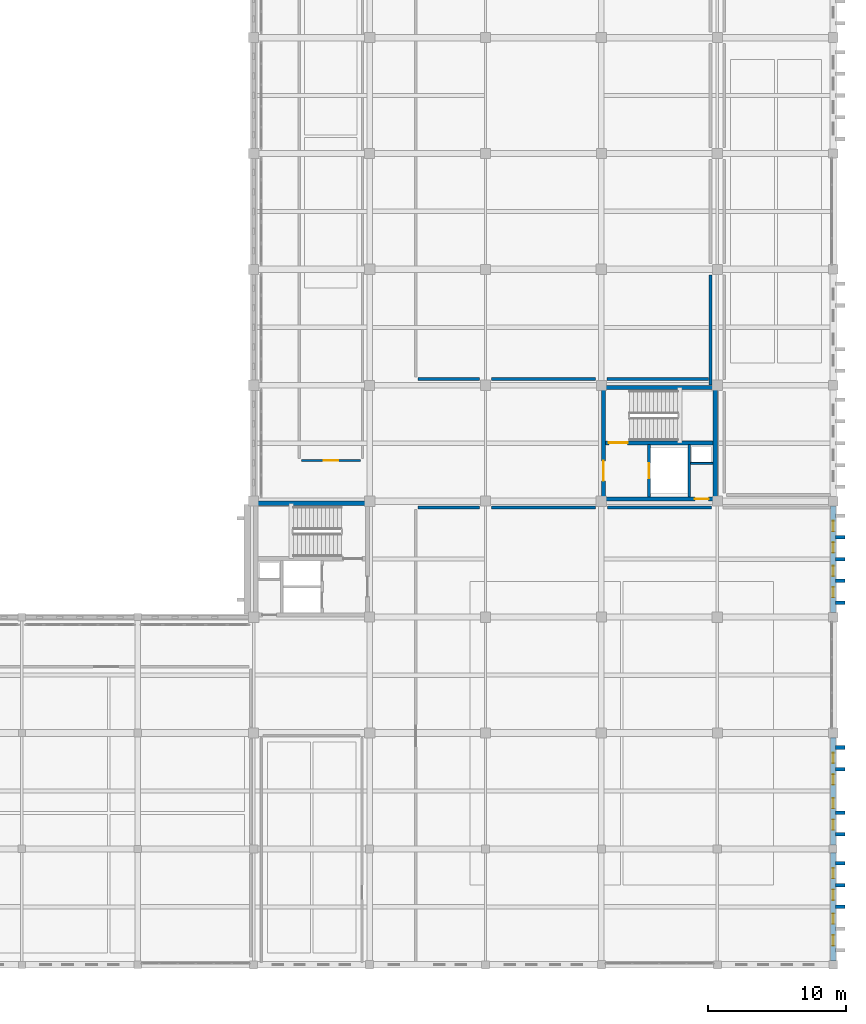
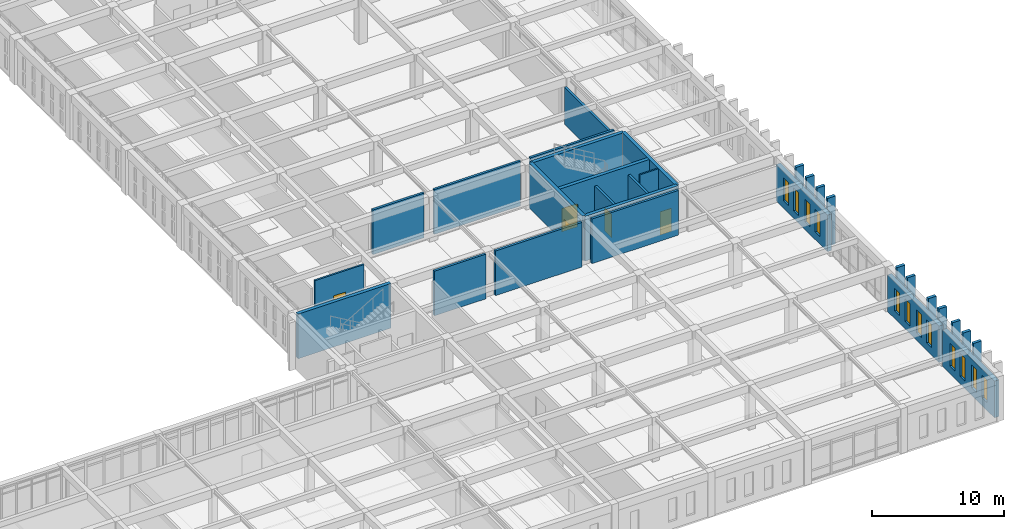
# One storey, part 176 of 192: 31 walls, 12 windows, 5 doors, 17 openings.
"""IFC4 building model written with IfcOpenShell, lengths in metres."""

from ifc_helpers import new_model, si_unit, direction, frame, frame_2d, origin, place, context, subcontext, project, spatial, rectangle, extrude, material, layer, layer_set, type_object, element, fill, save


model = new_model("IFC4")

# Units and contexts
model_context = context("Model", 3, precision=1e-05, world=origin(), true_north=direction((0.0, 1.0)))
body_context = subcontext(model_context, "Body", "Model", "MODEL_VIEW")
ifc_project = project(units=[si_unit("LENGTHUNIT", "METRE"), si_unit("AREAUNIT", "SQUARE_METRE"), si_unit("VOLUMEUNIT", "CUBIC_METRE"), si_unit("PLANEANGLEUNIT", "RADIAN"), si_unit("MASSUNIT", "GRAM", prefix="KILO")], contexts=[model_context])

# Site, building, storey
site_placement = place(None, origin())
site = spatial("IfcSite", under=ifc_project, at=site_placement, CompositionType="ELEMENT")
building_placement = place(site_placement, origin())
building = spatial("IfcBuilding", under=site, at=building_placement, Name="Kveldsbrygga Polytechnic", CompositionType="ELEMENT")
storey_placement = place(building_placement, frame((0.0, 0.0, 5.43994140625)))
storey = spatial("IfcBuildingStorey", under=building, at=storey_placement, Name="L01", CompositionType="ELEMENT", Elevation=5.43994140625)

# Wall, openings, windows
ifc_material_1 = material(Name="Fired clay brick masonry M10", Category="masonry")
ifc_layer_1 = layer(ifc_material_1, 0.3798828125)
ifc_layer_set_1 = layer_set([ifc_layer_1], Name="Fired clay brick masonry M10")
wall_type_1 = type_object("IfcWallType", Name="EW-BRICK-380", PredefinedType="SOLIDWALL", material=ifc_layer_set_1)
wall_1_placement = place(storey_placement, frame((168.0, 8.675048828125, 0.0), z_axis=(0.0, 0.0, 1.0), x_axis=(0.0, 1.0, 0.0)))
wall_1 = element("IfcWall", 1, at=wall_1_placement, inside=storey, type_object=wall_type_1, Name="Exterior Brick Wall EW-L01-Y-20-01", PredefinedType="SOLIDWALL", context=body_context, shape_type="SweptSolid", body=[
    extrude(rectangle(XDim=7.7900390625, YDim=0.3798828125, at=frame_2d((3.89501953125, 0.0))), origin(), (0.0, 0.0, 1.0), 3.3701171875),
])
opening_1_placement = place(wall_1_placement, frame((1.10498046875, 0.0, 0.699951171875)))
opening_1 = element("IfcOpeningElement", 2, at=opening_1_placement, cuts=wall_1, Name="Opening W-27", PredefinedType="OPENING", context=body_context, shape_type="SweptSolid", body=[
    extrude(rectangle(XDim=0.75, YDim=2.10009765625, at=frame_2d((0.375, 1.050048828125))), frame((0.0, 0.199951171875, 0.0), z_axis=(0.0, -1.0, 0.0), x_axis=(1.0, 0.0, 0.0)), (0.0, 0.0, 1.0), 0.39990234375),
])
opening_2_placement = place(wall_1_placement, frame((2.6630859375, 0.0, 0.699951171875)))
opening_2 = element("IfcOpeningElement", 3, at=opening_2_placement, cuts=wall_1, Name="Opening W-27", PredefinedType="OPENING", context=body_context, shape_type="SweptSolid", body=[
    extrude(rectangle(XDim=0.75, YDim=2.10009765625, at=frame_2d((0.375, 1.050048828125))), frame((0.0, 0.199951171875, 0.0), z_axis=(0.0, -1.0, 0.0), x_axis=(1.0, 0.0, 0.0)), (0.0, 0.0, 1.0), 0.39990234375),
])
opening_3_placement = place(wall_1_placement, frame((4.376953125, 0.0, 0.699951171875)))
opening_3 = element("IfcOpeningElement", 4, at=opening_3_placement, cuts=wall_1, Name="Opening W-27", PredefinedType="OPENING", context=body_context, shape_type="SweptSolid", body=[
    extrude(rectangle(XDim=0.75, YDim=2.10009765625, at=frame_2d((0.375, 1.050048828125))), frame((0.0, 0.199951171875, 0.0), z_axis=(0.0, -1.0, 0.0), x_axis=(1.0, 0.0, 0.0)), (0.0, 0.0, 1.0), 0.39990234375),
])
opening_4_placement = place(wall_1_placement, frame((5.934814453125, 0.0, 0.699951171875)))
opening_4 = element("IfcOpeningElement", 5, at=opening_4_placement, cuts=wall_1, Name="Opening W-27", PredefinedType="OPENING", context=body_context, shape_type="SweptSolid", body=[
    extrude(rectangle(XDim=0.75, YDim=2.10009765625, at=frame_2d((0.375, 1.050048828125))), frame((0.0, 0.199951171875, 0.0), z_axis=(0.0, -1.0, 0.0), x_axis=(1.0, 0.0, 0.0)), (0.0, 0.0, 1.0), 0.39990234375),
])
ifc_material_2 = material(Name="Insulated triple low-E glass", Category="glass")
window_type = type_object("IfcWindowType", Name="WN-ATTIC-075x210", PartitioningType="DOUBLE_PANEL_VERTICAL", PredefinedType="WINDOW", material=ifc_material_2)
window_1_placement = place(opening_1_placement, origin())
window_1 = element("IfcWindow", 6, at=window_1_placement, inside=storey, type_object=window_type, Name="Gothic Lancet Window WIN-L01-Y-20-01-1", OverallHeight=2.10009765625, OverallWidth=0.75, PartitioningType="DOUBLE_PANEL_VERTICAL", PredefinedType="WINDOW", context=body_context, shape_type="SweptSolid", body=[
    extrude(rectangle(XDim=0.75, YDim=2.10009765625, at=frame_2d((0.375, 1.050048828125))), frame((0.0, 0.030029296875, 0.0), z_axis=(0.0, -1.0, 0.0), x_axis=(1.0, 0.0, 0.0)), (0.0, 0.0, 1.0), 0.06005859375),
])
fill(opening_1, window_1)
window_2_placement = place(opening_2_placement, origin())
window_2 = element("IfcWindow", 7, at=window_2_placement, inside=storey, type_object=window_type, Name="Gothic Lancet Window WIN-L01-Y-20-01-2", OverallHeight=2.10009765625, OverallWidth=0.75, PartitioningType="DOUBLE_PANEL_VERTICAL", PredefinedType="WINDOW", context=body_context, shape_type="SweptSolid", body=[
    extrude(rectangle(XDim=0.75, YDim=2.10009765625, at=frame_2d((0.375, 1.050048828125))), frame((0.0, 0.030029296875, 0.0), z_axis=(0.0, -1.0, 0.0), x_axis=(1.0, 0.0, 0.0)), (0.0, 0.0, 1.0), 0.06005859375),
])
fill(opening_2, window_2)
window_3_placement = place(opening_3_placement, origin())
window_3 = element("IfcWindow", 8, at=window_3_placement, inside=storey, type_object=window_type, Name="Gothic Lancet Window WIN-L01-Y-20-01-3", OverallHeight=2.10009765625, OverallWidth=0.75, PartitioningType="DOUBLE_PANEL_VERTICAL", PredefinedType="WINDOW", context=body_context, shape_type="SweptSolid", body=[
    extrude(rectangle(XDim=0.75, YDim=2.10009765625, at=frame_2d((0.375, 1.050048828125))), frame((0.0, 0.030029296875, 0.0), z_axis=(0.0, -1.0, 0.0), x_axis=(1.0, 0.0, 0.0)), (0.0, 0.0, 1.0), 0.06005859375),
])
fill(opening_3, window_3)
window_4_placement = place(opening_4_placement, origin())
window_4 = element("IfcWindow", 9, at=window_4_placement, inside=storey, type_object=window_type, Name="Gothic Lancet Window WIN-L01-Y-20-01-4", OverallHeight=2.10009765625, OverallWidth=0.75, PartitioningType="DOUBLE_PANEL_VERTICAL", PredefinedType="WINDOW", context=body_context, shape_type="SweptSolid", body=[
    extrude(rectangle(XDim=0.75, YDim=2.10009765625, at=frame_2d((0.375, 1.050048828125))), frame((0.0, 0.030029296875, 0.0), z_axis=(0.0, -1.0, 0.0), x_axis=(1.0, 0.0, 0.0)), (0.0, 0.0, 1.0), 0.06005859375),
])
fill(opening_4, window_4)

wall_2_placement = place(storey_placement, frame((168.0, 25.52490234375, 0.0), z_axis=(0.0, 0.0, 1.0), x_axis=(0.0, 1.0, 0.0)))
wall_2 = element("IfcWall", 10, at=wall_2_placement, inside=storey, type_object=wall_type_1, Name="Exterior Brick Wall EW-L01-Y-20-03", PredefinedType="SOLIDWALL", context=body_context, shape_type="SweptSolid", body=[
    extrude(rectangle(XDim=7.739990234375, YDim=0.3798828125, at=frame_2d((3.8701171875, 0.0))), origin(), (0.0, 0.0, 1.0), 3.3701171875),
])
opening_5_placement = place(wall_2_placement, frame((1.095703125, 0.0, 0.699951171875)))
opening_5 = element("IfcOpeningElement", 11, at=opening_5_placement, cuts=wall_2, Name="Opening W-27", PredefinedType="OPENING", context=body_context, shape_type="SweptSolid", body=[
    extrude(rectangle(XDim=0.75, YDim=2.10009765625, at=frame_2d((0.375, 1.050048828125))), frame((0.0, 0.199951171875, 0.0), z_axis=(0.0, -1.0, 0.0), x_axis=(1.0, 0.0, 0.0)), (0.0, 0.0, 1.0), 0.39990234375),
])
opening_6_placement = place(wall_2_placement, frame((2.6435546875, 0.0, 0.699951171875)))
opening_6 = element("IfcOpeningElement", 12, at=opening_6_placement, cuts=wall_2, Name="Opening W-27", PredefinedType="OPENING", context=body_context, shape_type="SweptSolid", body=[
    extrude(rectangle(XDim=0.75, YDim=2.10009765625, at=frame_2d((0.375, 1.050048828125))), frame((0.0, 0.199951171875, 0.0), z_axis=(0.0, -1.0, 0.0), x_axis=(1.0, 0.0, 0.0)), (0.0, 0.0, 1.0), 0.39990234375),
])
opening_7_placement = place(wall_2_placement, frame((4.346435546875, 0.0, 0.699951171875)))
opening_7 = element("IfcOpeningElement", 13, at=opening_7_placement, cuts=wall_2, Name="Opening W-27", PredefinedType="OPENING", context=body_context, shape_type="SweptSolid", body=[
    extrude(rectangle(XDim=0.75, YDim=2.10009765625, at=frame_2d((0.375, 1.050048828125))), frame((0.0, 0.199951171875, 0.0), z_axis=(0.0, -1.0, 0.0), x_axis=(1.0, 0.0, 0.0)), (0.0, 0.0, 1.0), 0.39990234375),
])
opening_8_placement = place(wall_2_placement, frame((5.894287109375, 0.0, 0.699951171875)))
opening_8 = element("IfcOpeningElement", 14, at=opening_8_placement, cuts=wall_2, Name="Opening W-27", PredefinedType="OPENING", context=body_context, shape_type="SweptSolid", body=[
    extrude(rectangle(XDim=0.75, YDim=2.10009765625, at=frame_2d((0.375, 1.050048828125))), frame((0.0, 0.199951171875, 0.0), z_axis=(0.0, -1.0, 0.0), x_axis=(1.0, 0.0, 0.0)), (0.0, 0.0, 1.0), 0.39990234375),
])
window_5_placement = place(opening_5_placement, origin())
window_5 = element("IfcWindow", 15, at=window_5_placement, inside=storey, type_object=window_type, Name="Gothic Lancet Window WIN-L01-Y-20-03-1", OverallHeight=2.10009765625, OverallWidth=0.75, PartitioningType="DOUBLE_PANEL_VERTICAL", PredefinedType="WINDOW", context=body_context, shape_type="SweptSolid", body=[
    extrude(rectangle(XDim=0.75, YDim=2.10009765625, at=frame_2d((0.375, 1.050048828125))), frame((0.0, 0.030029296875, 0.0), z_axis=(0.0, -1.0, 0.0), x_axis=(1.0, 0.0, 0.0)), (0.0, 0.0, 1.0), 0.06005859375),
])
fill(opening_5, window_5)
window_6_placement = place(opening_6_placement, origin())
window_6 = element("IfcWindow", 16, at=window_6_placement, inside=storey, type_object=window_type, Name="Gothic Lancet Window WIN-L01-Y-20-03-2", OverallHeight=2.10009765625, OverallWidth=0.75, PartitioningType="DOUBLE_PANEL_VERTICAL", PredefinedType="WINDOW", context=body_context, shape_type="SweptSolid", body=[
    extrude(rectangle(XDim=0.75, YDim=2.10009765625, at=frame_2d((0.375, 1.050048828125))), frame((0.0, 0.030029296875, 0.0), z_axis=(0.0, -1.0, 0.0), x_axis=(1.0, 0.0, 0.0)), (0.0, 0.0, 1.0), 0.06005859375),
])
fill(opening_6, window_6)
window_7_placement = place(opening_7_placement, origin())
window_7 = element("IfcWindow", 17, at=window_7_placement, inside=storey, type_object=window_type, Name="Gothic Lancet Window WIN-L01-Y-20-03-3", OverallHeight=2.10009765625, OverallWidth=0.75, PartitioningType="DOUBLE_PANEL_VERTICAL", PredefinedType="WINDOW", context=body_context, shape_type="SweptSolid", body=[
    extrude(rectangle(XDim=0.75, YDim=2.10009765625, at=frame_2d((0.375, 1.050048828125))), frame((0.0, 0.030029296875, 0.0), z_axis=(0.0, -1.0, 0.0), x_axis=(1.0, 0.0, 0.0)), (0.0, 0.0, 1.0), 0.06005859375),
])
fill(opening_7, window_7)
window_8_placement = place(opening_8_placement, origin())
window_8 = element("IfcWindow", 18, at=window_8_placement, inside=storey, type_object=window_type, Name="Gothic Lancet Window WIN-L01-Y-20-03-4", OverallHeight=2.10009765625, OverallWidth=0.75, PartitioningType="DOUBLE_PANEL_VERTICAL", PredefinedType="WINDOW", context=body_context, shape_type="SweptSolid", body=[
    extrude(rectangle(XDim=0.75, YDim=2.10009765625, at=frame_2d((0.375, 1.050048828125))), frame((0.0, 0.030029296875, 0.0), z_axis=(0.0, -1.0, 0.0), x_axis=(1.0, 0.0, 0.0)), (0.0, 0.0, 1.0), 0.06005859375),
])
fill(opening_8, window_8)

ifc_layer_2 = layer(ifc_material_1, 0.39990234375)
ifc_layer_set_2 = layer_set([ifc_layer_2], Name="Fired clay brick masonry M10")
wall_type_2 = type_object("IfcWallType", Name="EW-BRICK-400", PredefinedType="SOLIDWALL", material=ifc_layer_set_2)
wall_3_placement = place(storey_placement, frame((168.0, 0.284912109375, 0.0), z_axis=(0.0, 0.0, 1.0), x_axis=(0.0, 1.0, 0.0)))
wall_3 = element("IfcWall", 19, at=wall_3_placement, inside=storey, type_object=wall_type_2, Name="Exterior Brick Wall EW-L01-Y-20-00", PredefinedType="SOLIDWALL", context=body_context, shape_type="SweptSolid", body=[
    extrude(rectangle(XDim=7.840087890625, YDim=0.39990234375, at=frame_2d((3.919921875, 0.0))), origin(), (0.0, 0.0, 1.0), 3.3701171875),
])
opening_9_placement = place(wall_3_placement, frame((1.114501953125, 0.0, 0.699951171875)))
opening_9 = element("IfcOpeningElement", 20, at=opening_9_placement, cuts=wall_3, Name="Opening W-27", PredefinedType="OPENING", context=body_context, shape_type="SweptSolid", body=[
    extrude(rectangle(XDim=0.75, YDim=2.10009765625, at=frame_2d((0.375, 1.050048828125))), frame((0.0, 0.2099609375, 0.0), z_axis=(0.0, -1.0, 0.0), x_axis=(1.0, 0.0, 0.0)), (0.0, 0.0, 1.0), 0.419921875),
])
opening_10_placement = place(wall_3_placement, frame((2.6826171875, 0.0, 0.699951171875)))
opening_10 = element("IfcOpeningElement", 21, at=opening_10_placement, cuts=wall_3, Name="Opening W-27", PredefinedType="OPENING", context=body_context, shape_type="SweptSolid", body=[
    extrude(rectangle(XDim=0.75, YDim=2.10009765625, at=frame_2d((0.375, 1.050048828125))), frame((0.0, 0.2099609375, 0.0), z_axis=(0.0, -1.0, 0.0), x_axis=(1.0, 0.0, 0.0)), (0.0, 0.0, 1.0), 0.419921875),
])
opening_11_placement = place(wall_3_placement, frame((4.407470703125, 0.0, 0.699951171875)))
opening_11 = element("IfcOpeningElement", 22, at=opening_11_placement, cuts=wall_3, Name="Opening W-27", PredefinedType="OPENING", context=body_context, shape_type="SweptSolid", body=[
    extrude(rectangle(XDim=0.75, YDim=2.10009765625, at=frame_2d((0.375, 1.050048828125))), frame((0.0, 0.2099609375, 0.0), z_axis=(0.0, -1.0, 0.0), x_axis=(1.0, 0.0, 0.0)), (0.0, 0.0, 1.0), 0.419921875),
])
opening_12_placement = place(wall_3_placement, frame((5.975341796875, 0.0, 0.699951171875)))
opening_12 = element("IfcOpeningElement", 23, at=opening_12_placement, cuts=wall_3, Name="Opening W-27", PredefinedType="OPENING", context=body_context, shape_type="SweptSolid", body=[
    extrude(rectangle(XDim=0.75, YDim=2.10009765625, at=frame_2d((0.375, 1.050048828125))), frame((0.0, 0.2099609375, 0.0), z_axis=(0.0, -1.0, 0.0), x_axis=(1.0, 0.0, 0.0)), (0.0, 0.0, 1.0), 0.419921875),
])
window_9_placement = place(opening_9_placement, origin())
window_9 = element("IfcWindow", 24, at=window_9_placement, inside=storey, type_object=window_type, Name="Gothic Lancet Window WIN-L01-Y-20-00-1", OverallHeight=2.10009765625, OverallWidth=0.75, PartitioningType="DOUBLE_PANEL_VERTICAL", PredefinedType="WINDOW", context=body_context, shape_type="SweptSolid", body=[
    extrude(rectangle(XDim=0.75, YDim=2.10009765625, at=frame_2d((0.375, 1.050048828125))), frame((0.0, 0.030029296875, 0.0), z_axis=(0.0, -1.0, 0.0), x_axis=(1.0, 0.0, 0.0)), (0.0, 0.0, 1.0), 0.06005859375),
])
fill(opening_9, window_9)
window_10_placement = place(opening_10_placement, origin())
window_10 = element("IfcWindow", 25, at=window_10_placement, inside=storey, type_object=window_type, Name="Gothic Lancet Window WIN-L01-Y-20-00-2", OverallHeight=2.10009765625, OverallWidth=0.75, PartitioningType="DOUBLE_PANEL_VERTICAL", PredefinedType="WINDOW", context=body_context, shape_type="SweptSolid", body=[
    extrude(rectangle(XDim=0.75, YDim=2.10009765625, at=frame_2d((0.375, 1.050048828125))), frame((0.0, 0.030029296875, 0.0), z_axis=(0.0, -1.0, 0.0), x_axis=(1.0, 0.0, 0.0)), (0.0, 0.0, 1.0), 0.06005859375),
])
fill(opening_10, window_10)
window_11_placement = place(opening_11_placement, origin())
window_11 = element("IfcWindow", 26, at=window_11_placement, inside=storey, type_object=window_type, Name="Gothic Lancet Window WIN-L01-Y-20-00-3", OverallHeight=2.10009765625, OverallWidth=0.75, PartitioningType="DOUBLE_PANEL_VERTICAL", PredefinedType="WINDOW", context=body_context, shape_type="SweptSolid", body=[
    extrude(rectangle(XDim=0.75, YDim=2.10009765625, at=frame_2d((0.375, 1.050048828125))), frame((0.0, 0.030029296875, 0.0), z_axis=(0.0, -1.0, 0.0), x_axis=(1.0, 0.0, 0.0)), (0.0, 0.0, 1.0), 0.06005859375),
])
fill(opening_11, window_11)
window_12_placement = place(opening_12_placement, origin())
window_12 = element("IfcWindow", 27, at=window_12_placement, inside=storey, type_object=window_type, Name="Gothic Lancet Window WIN-L01-Y-20-00-4", OverallHeight=2.10009765625, OverallWidth=0.75, PartitioningType="DOUBLE_PANEL_VERTICAL", PredefinedType="WINDOW", context=body_context, shape_type="SweptSolid", body=[
    extrude(rectangle(XDim=0.75, YDim=2.10009765625, at=frame_2d((0.375, 1.050048828125))), frame((0.0, 0.030029296875, 0.0), z_axis=(0.0, -1.0, 0.0), x_axis=(1.0, 0.0, 0.0)), (0.0, 0.0, 1.0), 0.06005859375),
])
fill(opening_12, window_12)

# Walls
ifc_layer_3 = layer(ifc_material_1, 0.260009765625)
ifc_layer_set_3 = layer_set([ifc_layer_3], Name="Fired clay brick masonry M10")
wall_type_3 = type_object("IfcWallType", Name="EW-BUTT-260", PredefinedType="SOLIDWALL", material=ifc_layer_set_3)
for number, where, z_axis, x_axis, name in (
    (28, (168.1650390625, 4.199951171875, 0.0), (0.0, 0.0, 1.0), (1.0, 0.0, 0.0), "Gothic Brick Buttress Pier BUTT-L01-Y-20-00-3"),
    (29, (168.1650390625, 5.780029296875, 0.0), (0.0, 0.0, 1.0), (1.0, 0.0, 0.0), "Gothic Brick Buttress Pier BUTT-L01-Y-20-00-4"),
    (30, (168.1650390625, 7.35009765625, 0.0), (0.0, 0.0, 1.0), (1.0, 0.0, 0.0), "Gothic Brick Buttress Pier BUTT-L01-Y-20-00-5"),
    (31, (168.1650390625, 9.449951171875, 0.0), (0.0, 0.0, 1.0), (1.0, 0.0, 0.0), "Gothic Brick Buttress Pier BUTT-L01-Y-20-01-1"),
    (32, (168.1650390625, 11.02001953125, 0.0), (0.0, 0.0, 1.0), (1.0, 0.0, 0.0), "Gothic Brick Buttress Pier BUTT-L01-Y-20-01-2"),
    (33, (168.1650390625, 14.179931640625, 0.0), (0.0, 0.0, 1.0), (1.0, 0.0, 0.0), "Gothic Brick Buttress Pier BUTT-L01-Y-20-01-4"),
    (34, (168.1650390625, 15.75, 0.0), (0.0, 0.0, 1.0), (1.0, 0.0, 0.0), "Gothic Brick Buttress Pier BUTT-L01-Y-20-01-5"),
    (35, (168.1650390625, 26.25, 0.0), (0.0, 0.0, 1.0), (1.0, 0.0, 0.0), "Gothic Brick Buttress Pier BUTT-L01-Y-20-03-1"),
    (36, (168.1650390625, 27.820068359375, 0.0), (0.0, 0.0, 1.0), (1.0, 0.0, 0.0), "Gothic Brick Buttress Pier BUTT-L01-Y-20-03-2"),
    (37, (168.1650390625, 29.39990234375, 0.0), (0.0, 0.0, 1.0), (1.0, 0.0, 0.0), "Gothic Brick Buttress Pier BUTT-L01-Y-20-03-3"),
    (38, (168.1650390625, 30.97998046875, 0.0), (0.0, 0.0, 1.0), (1.0, 0.0, 0.0), "Gothic Brick Buttress Pier BUTT-L01-Y-20-03-4"),
):
    element("IfcWall", number, at=place(storey_placement, frame(where, z_axis=z_axis, x_axis=x_axis)), inside=storey, type_object=wall_type_3, Name=name, PredefinedType="SOLIDWALL", context=body_context, shape_type="SweptSolid", body=[
        extrude(rectangle(XDim=0.699951171875, YDim=0.260009765625, at=frame_2d((0.35009765625, 0.0))), origin(), (0.0, 0.0, 1.0), 4.420166015625),
    ])
ifc_layer_4 = layer(ifc_material_1, 0.199951171875)
ifc_layer_set_4 = layer_set([ifc_layer_4], Name="Fired clay brick masonry M10")
wall_type_4 = type_object("IfcWallType", Name="IW-LAB-200", PredefinedType="PARTITIONING", material=ifc_layer_set_4)
wall_4_placement = place(storey_placement, frame((137.89990234375, 33.14990234375, 0.0), z_axis=(0.0, 0.0, 1.0), x_axis=(1.0, 0.0, 0.0)))
element("IfcWall", 39, at=wall_4_placement, inside=storey, type_object=wall_type_4, Name="Partition Wall IW-SP-L01-LAB11-N1", PredefinedType="PARTITIONING", context=body_context, shape_type="SweptSolid", body=[
    extrude(rectangle(XDim=4.47998046875, YDim=0.199951171875, at=frame_2d((2.239990234375, 0.0))), origin(), (0.0, 0.0, 1.0), 4.1201171875),
])
for number, where, z_axis, x_axis, name in (
    (40, (143.219970703125, 33.14990234375, 0.0), (0.0, 0.0, 1.0), (1.0, 0.0, 0.0), "Partition Wall IW-SP-L01-LAB11-N2"),
    (41, (151.635009765625, 33.14990234375, 0.0), (0.0, 0.0, 1.0), (1.0, 0.0, 0.0), "Partition Wall IW-SP-L01-LAB11-N3"),
):
    element("IfcWall", number, at=place(storey_placement, frame(where, z_axis=z_axis, x_axis=x_axis)), inside=storey, type_object=wall_type_4, Name=name, PredefinedType="PARTITIONING", context=body_context, shape_type="SweptSolid", body=[
        extrude(rectangle(XDim=7.544921875, YDim=0.199951171875, at=frame_2d((3.7724609375, 0.0))), origin(), (0.0, 0.0, 1.0), 4.1201171875),
    ])
wall_5_placement = place(storey_placement, frame((137.89990234375, 42.449951171875, 0.0), z_axis=(0.0, 0.0, 1.0), x_axis=(1.0, 0.0, 0.0)))
element("IfcWall", 42, at=wall_5_placement, inside=storey, type_object=wall_type_4, Name="Partition Wall IW-SP-L01-LAB12A-S1", PredefinedType="PARTITIONING", context=body_context, shape_type="SweptSolid", body=[
    extrude(rectangle(XDim=4.465087890625, YDim=0.199951171875, at=frame_2d((2.232421875, 0.0))), origin(), (0.0, 0.0, 1.0), 4.1201171875),
])
wall_6_placement = place(storey_placement, frame((143.235107421875, 42.449951171875, 0.0), z_axis=(0.0, 0.0, 1.0), x_axis=(1.0, 0.0, 0.0)))
element("IfcWall", 43, at=wall_6_placement, inside=storey, type_object=wall_type_4, Name="Partition Wall IW-SP-L01-LAB12A-S2", PredefinedType="PARTITIONING", context=body_context, shape_type="SweptSolid", body=[
    extrude(rectangle(XDim=7.544921875, YDim=0.199951171875, at=frame_2d((3.7724609375, 0.0))), origin(), (0.0, 0.0, 1.0), 4.1201171875),
])
wall_7_placement = place(storey_placement, frame((151.6201171875, 42.449951171875, 0.0), z_axis=(0.0, 0.0, 1.0), x_axis=(1.0, 0.0, 0.0)))
element("IfcWall", 44, at=wall_7_placement, inside=storey, type_object=wall_type_4, Name="Partition Wall IW-SP-L01-LAB12A-S3", PredefinedType="PARTITIONING", context=body_context, shape_type="SweptSolid", body=[
    extrude(rectangle(XDim=7.329833984375, YDim=0.199951171875, at=frame_2d((3.6650390625, 0.0))), origin(), (0.0, 0.0, 1.0), 4.1201171875),
])
wall_8_placement = place(storey_placement, frame((159.10009765625, 42.030029296875, 0.0), z_axis=(0.0, 0.0, 1.0), x_axis=(0.0, 1.0, 0.0)))
element("IfcWall", 45, at=wall_8_placement, inside=storey, type_object=wall_type_4, Name="Partition Wall IW-SP-L01-LAB12A-E1", PredefinedType="PARTITIONING", context=body_context, shape_type="SweptSolid", body=[
    extrude(rectangle(XDim=7.949951171875, YDim=0.199951171875, at=frame_2d((3.97509765625, 0.0))), origin(), (0.0, 0.0, 1.0), 3.43994140625),
])
ifc_material_3 = material(Name="Moisture-resistant masonry M10", Category="masonry")
ifc_layer_5 = layer(ifc_material_3, 0.1298828125)
ifc_layer_set_5 = layer_set([ifc_layer_5], Name="Moisture-resistant masonry M10")
wall_type_5 = type_object("IfcWallType", Name="IW-SAN-130", PredefinedType="PARTITIONING", material=ifc_layer_set_5)
wall_9_placement = place(storey_placement, frame((157.659912109375, 36.340087890625, 0.0), z_axis=(0.0, 0.0, 1.0), x_axis=(1.0, 0.0, 0.0)))
element("IfcWall", 46, at=wall_9_placement, inside=storey, type_object=wall_type_5, Name="Core AWC Divider C3-L01-W-RSR", PredefinedType="PARTITIONING", context=body_context, shape_type="SweptSolid", body=[
    extrude(rectangle(XDim=1.6201171875, YDim=0.1298828125, at=frame_2d((0.81005859375, 0.0))), origin(), (0.0, 0.0, 1.0), 4.1201171875),
])

# Wall, opening, door
ifc_material_4 = material(Name="Gypsum acoustic stud partition")
ifc_layer_6 = layer(ifc_material_4, 0.14990234375)
ifc_layer_set_6 = layer_set([ifc_layer_6], Name="Gypsum acoustic stud partition")
wall_type_6 = type_object("IfcWallType", Name="IW-SEM-150", PredefinedType="PARTITIONING", material=ifc_layer_set_6)
wall_10_placement = place(storey_placement, frame((129.449951171875, 36.550048828125, 0.0), z_axis=(0.0, 0.0, 1.0), x_axis=(1.0, 0.0, 0.0)))
wall_10 = element("IfcWall", 47, at=wall_10_placement, inside=storey, type_object=wall_type_6, Name="Partition Wall IW-SP-L01-SEM13-S1", PredefinedType="PARTITIONING", context=body_context, shape_type="SweptSolid", body=[
    extrude(rectangle(XDim=4.300048828125, YDim=0.14990234375, at=frame_2d((2.14990234375, 0.0))), origin(), (0.0, 0.0, 1.0), 4.1201171875),
])
opening_13_placement = place(wall_10_placement, frame((1.625, 0.0, 0.0)))
opening_13 = element("IfcOpeningElement", 48, at=opening_13_placement, cuts=wall_10, Name="Opening ID-L01-056", PredefinedType="OPENING", context=body_context, shape_type="SweptSolid", body=[
    extrude(rectangle(XDim=1.050048828125, YDim=2.14990234375, at=frame_2d((0.52490234375, 1.074951171875))), frame((0.0, 0.0849609375, 0.0), z_axis=(0.0, -1.0, 0.0), x_axis=(1.0, 0.0, 0.0)), (0.0, 0.0, 1.0), 0.169921875),
])
ifc_material_5 = material(Name="Acoustic oak timber", Category="wood")
door_type_1 = type_object("IfcDoorType", Name="ID-SEM-105x215", OperationType="NOTDEFINED", PredefinedType="DOOR", material=ifc_material_5)
door_1_placement = place(opening_13_placement, origin())
door_1 = element("IfcDoor", 49, at=door_1_placement, inside=storey, type_object=door_type_1, Name="Interior Door ID-L01-056", OperationType="SINGLE_SWING_RIGHT", OverallHeight=2.14990234375, OverallWidth=1.050048828125, PredefinedType="DOOR", context=body_context, shape_type="SweptSolid", body=[
    extrude(rectangle(XDim=1.050048828125, YDim=2.14990234375, at=frame_2d((0.52490234375, 1.074951171875))), frame((0.0, 0.02490234375, 0.0), z_axis=(0.0, -1.0, 0.0), x_axis=(1.0, 0.0, 0.0)), (0.0, 0.0, 1.0), 0.050048828125),
])
fill(opening_13, door_1)

# Wall
ifc_material_6 = material(Name="Concrete C45/55", Category="concrete")
ifc_layer_7 = layer(ifc_material_6, 0.300048828125)
ifc_layer_set_7 = layer_set([ifc_layer_7], Name="Concrete C45/55")
wall_type_7 = type_object("IfcWallType", Name="WL-CORE-300", PredefinedType="SHEAR", material=ifc_layer_set_7)
wall_11_placement = place(storey_placement, frame((126.14990234375, 33.449951171875, 0.0), z_axis=(0.0, 0.0, 1.0), x_axis=(1.0, 0.0, 0.0)))
element("IfcWall", 50, at=wall_11_placement, inside=storey, type_object=wall_type_7, Name="Core C1 Shear Wall C1-L01-SW-N", PredefinedType="SHEAR", context=body_context, shape_type="SweptSolid", body=[
    extrude(rectangle(XDim=8.10009765625, YDim=0.300048828125, at=frame_2d((4.050048828125, 0.0))), origin(), (0.0, 0.0, 1.0), 4.1201171875),
])

# Wall, opening, door
wall_12_placement = place(storey_placement, frame((151.35009765625, 33.75, 0.0), z_axis=(0.0, 0.0, 1.0), x_axis=(1.0, 0.0, 0.0)))
wall_12 = element("IfcWall", 51, at=wall_12_placement, inside=storey, type_object=wall_type_7, Name="Core C3 Shear Wall C3-L01-SW-S", PredefinedType="SHEAR", context=body_context, shape_type="SweptSolid", body=[
    extrude(rectangle(XDim=8.099853515625, YDim=0.300048828125, at=frame_2d((4.0498046875, 0.0))), origin(), (0.0, 0.0, 1.0), 4.1201171875),
])
opening_14_placement = place(wall_12_placement, frame((6.614990234375, 0.0, 0.0)))
opening_14 = element("IfcOpeningElement", 52, at=opening_14_placement, cuts=wall_12, Name="Opening ID-C3-L01-AWC", PredefinedType="OPENING", context=body_context, shape_type="SweptSolid", body=[
    extrude(rectangle(XDim=1.0, YDim=2.14990234375, at=frame_2d((0.5, 1.074951171875))), frame((0.0, 0.16015625, 0.0), z_axis=(0.0, -1.0, 0.0), x_axis=(1.0, 0.0, 0.0)), (0.0, 0.0, 1.0), 0.320068359375),
])
door_type_2 = type_object("IfcDoorType", Name="ID-AWC-100x215", OperationType="NOTDEFINED", PredefinedType="DOOR", material=ifc_material_5)
door_2_placement = place(opening_14_placement, origin())
door_2 = element("IfcDoor", 53, at=door_2_placement, inside=storey, type_object=door_type_2, Name="Accessible WC Door ID-C3-L01-AWC", OperationType="SINGLE_SWING_RIGHT", OverallHeight=2.14990234375, OverallWidth=1.0, PredefinedType="DOOR", context=body_context, shape_type="SweptSolid", body=[
    extrude(rectangle(XDim=1.0, YDim=2.14990234375, at=frame_2d((0.5, 1.074951171875))), frame((0.0, 0.02490234375, 0.0), z_axis=(0.0, -1.0, 0.0), x_axis=(1.0, 0.0, 0.0)), (0.0, 0.0, 1.0), 0.050048828125),
])
fill(opening_14, door_2)

# Wall
wall_13_placement = place(storey_placement, frame((151.35009765625, 41.85009765625, 0.0), z_axis=(0.0, 0.0, 1.0), x_axis=(1.0, 0.0, 0.0)))
element("IfcWall", 54, at=wall_13_placement, inside=storey, type_object=wall_type_7, Name="Core C3 Shear Wall C3-L01-SW-N", PredefinedType="SHEAR", context=body_context, shape_type="SweptSolid", body=[
    extrude(rectangle(XDim=8.099853515625, YDim=0.300048828125, at=frame_2d((4.0498046875, 0.0))), origin(), (0.0, 0.0, 1.0), 4.1201171875),
])

# Wall, opening, door
wall_14_placement = place(storey_placement, frame((151.35009765625, 33.75, 0.0), z_axis=(0.0, 0.0, 1.0), x_axis=(0.0, 1.0, 0.0)))
wall_14 = element("IfcWall", 55, at=wall_14_placement, inside=storey, type_object=wall_type_7, Name="Core C3 Shear Wall C3-L01-SW-W", PredefinedType="SHEAR", context=body_context, shape_type="SweptSolid", body=[
    extrude(rectangle(XDim=8.10009765625, YDim=0.300048828125, at=frame_2d((4.050048828125, 0.0))), origin(), (0.0, 0.0, 1.0), 4.1201171875),
])
opening_15_placement = place(wall_14_placement, frame((1.324951171875, 0.0, 0.0)))
opening_15 = element("IfcOpeningElement", 56, at=opening_15_placement, cuts=wall_14, Name="Opening FD-C3-L01-LOB", PredefinedType="OPENING", context=body_context, shape_type="SweptSolid", body=[
    extrude(rectangle(XDim=1.449951171875, YDim=2.14990234375, at=frame_2d((0.72509765625, 1.074951171875))), frame((0.0, 0.16015625, 0.0), z_axis=(0.0, -1.0, 0.0), x_axis=(1.0, 0.0, 0.0)), (0.0, 0.0, 1.0), 0.320068359375),
])
ifc_material_7 = material(Name="Powder-coated galvanised steel", Category="steel")
door_type_3 = type_object("IfcDoorType", Name="ID-LOBBY-145x215", OperationType="DOUBLE_DOOR_SINGLE_SWING", PredefinedType="DOOR", material=ifc_material_7)
door_3_placement = place(opening_15_placement, origin())
door_3 = element("IfcDoor", 57, at=door_3_placement, inside=storey, type_object=door_type_3, Name="Core Lobby Fire Door FD-C3-L01-LOB", OperationType="DOUBLE_DOOR_SINGLE_SWING", OverallHeight=2.14990234375, OverallWidth=1.449951171875, PredefinedType="DOOR", context=body_context, shape_type="SweptSolid", body=[
    extrude(rectangle(XDim=1.449951171875, YDim=2.14990234375, at=frame_2d((0.72509765625, 1.074951171875))), frame((0.0, 0.02490234375, 0.0), z_axis=(0.0, -1.0, 0.0), x_axis=(1.0, 0.0, 0.0)), (0.0, 0.0, 1.0), 0.050048828125),
])
fill(opening_15, door_3)

# Wall
wall_15_placement = place(storey_placement, frame((159.449951171875, 33.75, 0.0), z_axis=(0.0, 0.0, 1.0), x_axis=(0.0, 1.0, 0.0)))
element("IfcWall", 58, at=wall_15_placement, inside=storey, type_object=wall_type_7, Name="Core C3 Shear Wall C3-L01-SW-E", PredefinedType="SHEAR", context=body_context, shape_type="SweptSolid", body=[
    extrude(rectangle(XDim=8.10009765625, YDim=0.300048828125, at=frame_2d((4.050048828125, 0.0))), origin(), (0.0, 0.0, 1.0), 4.1201171875),
])

# Wall, opening, door
wall_16_placement = place(storey_placement, frame((151.5, 37.830078125, 0.0), z_axis=(0.0, 0.0, 1.0), x_axis=(1.0, 0.0, 0.0)))
wall_16 = element("IfcWall", 59, at=wall_16_placement, inside=storey, type_object=wall_type_7, Name="Core C3 Shear Wall C3-L01-W-DIV", PredefinedType="SHEAR", context=body_context, shape_type="SweptSolid", body=[
    extrude(rectangle(XDim=7.800048828125, YDim=0.300048828125, at=frame_2d((3.89990234375, 0.0))), origin(), (0.0, 0.0, 1.0), 4.1201171875),
])
opening_16_placement = place(wall_16_placement, frame((0.25, 0.0, 0.0)))
opening_16 = element("IfcOpeningElement", 60, at=opening_16_placement, cuts=wall_16, Name="Opening FD-C3-L01-ST", PredefinedType="OPENING", context=body_context, shape_type="SweptSolid", body=[
    extrude(rectangle(XDim=1.35009765625, YDim=2.14990234375, at=frame_2d((0.675048828125, 1.074951171875))), frame((0.0, 0.16015625, 0.0), z_axis=(0.0, -1.0, 0.0), x_axis=(1.0, 0.0, 0.0)), (0.0, 0.0, 1.0), 0.320068359375),
])
door_type_4 = type_object("IfcDoorType", Name="ID-STAIR-135x215", OperationType="NOTDEFINED", PredefinedType="DOOR", material=ifc_material_7)
door_4_placement = place(opening_16_placement, origin())
door_4 = element("IfcDoor", 61, at=door_4_placement, inside=storey, type_object=door_type_4, Name="Stair Fire Door FD-C3-L01-ST", OperationType="SINGLE_SWING_LEFT", OverallHeight=2.14990234375, OverallWidth=1.35009765625, PredefinedType="DOOR", context=body_context, shape_type="SweptSolid", body=[
    extrude(rectangle(XDim=1.35009765625, YDim=2.14990234375, at=frame_2d((0.675048828125, 1.074951171875))), frame((0.0, 0.02490234375, 0.0), z_axis=(0.0, -1.0, 0.0), x_axis=(1.0, 0.0, 0.0)), (0.0, 0.0, 1.0), 0.050048828125),
])
fill(opening_16, door_4)

ifc_material_8 = material(Name="Concrete C35/45", Category="concrete")
ifc_layer_8 = layer(ifc_material_8, 0.199951171875)
ifc_layer_set_8 = layer_set([ifc_layer_8], Name="Concrete C35/45")
wall_type_8 = type_object("IfcWallType", Name="WL-SHFT-200", PredefinedType="SHEAR", material=ifc_layer_set_8)
wall_17_placement = place(storey_placement, frame((154.639892578125, 33.89990234375, 0.0), z_axis=(0.0, 0.0, 1.0), x_axis=(0.0, 1.0, 0.0)))
wall_17 = element("IfcWall", 62, at=wall_17_placement, inside=storey, type_object=wall_type_8, Name="Lift Front Wall C3-L01-W-LFR", PredefinedType="SHEAR", context=body_context, shape_type="SweptSolid", body=[
    extrude(rectangle(XDim=3.800048828125, YDim=0.199951171875, at=frame_2d((1.89990234375, 0.0))), origin(), (0.0, 0.0, 1.0), 3.340087890625),
])
opening_17_placement = place(wall_17_placement, frame((1.35009765625, 0.0, 0.0)))
opening_17 = element("IfcOpeningElement", 63, at=opening_17_placement, cuts=wall_17, Name="Opening LD-LP-3", PredefinedType="OPENING", context=body_context, shape_type="SweptSolid", body=[
    extrude(rectangle(XDim=1.10009765625, YDim=2.14990234375, at=frame_2d((0.550048828125, 1.074951171875))), frame((0.0, 0.10986328125, 0.0), z_axis=(0.0, -1.0, 0.0), x_axis=(1.0, 0.0, 0.0)), (0.0, 0.0, 1.0), 0.219970703125),
])
ifc_material_9 = material(Name="Brushed stainless steel EN 1.4401", Category="steel")
door_type_5 = type_object("IfcDoorType", Name="LD-PAX-110x215", OperationType="SLIDING_TO_LEFT", PredefinedType="DOOR", material=ifc_material_9)
door_5_placement = place(opening_17_placement, origin())
door_5 = element("IfcDoor", 64, at=door_5_placement, inside=storey, type_object=door_type_5, Name="Lift Landing Sliding Door LD-LP-3-L01", OperationType="SLIDING_TO_LEFT", OverallHeight=2.14990234375, OverallWidth=1.10009765625, PredefinedType="DOOR", context=body_context, shape_type="SweptSolid", body=[
    extrude(rectangle(XDim=1.10009765625, YDim=2.14990234375, at=frame_2d((0.550048828125, 1.074951171875))), frame((0.0, 0.02490234375, 0.0), z_axis=(0.0, -1.0, 0.0), x_axis=(1.0, 0.0, 0.0)), (0.0, 0.0, 1.0), 0.050048828125),
])
fill(opening_17, door_5)

# Wall
wall_18_placement = place(storey_placement, frame((157.56005859375, 33.89990234375, 0.0), z_axis=(0.0, 0.0, 1.0), x_axis=(0.0, 1.0, 0.0)))
element("IfcWall", 65, at=wall_18_placement, inside=storey, type_object=wall_type_8, Name="Lift Back Wall C3-L01-W-LBK", PredefinedType="SHEAR", context=body_context, shape_type="SweptSolid", body=[
    extrude(rectangle(XDim=3.800048828125, YDim=0.199951171875, at=frame_2d((1.89990234375, 0.0))), origin(), (0.0, 0.0, 1.0), 3.340087890625),
])

save(model, "model.ifc")
